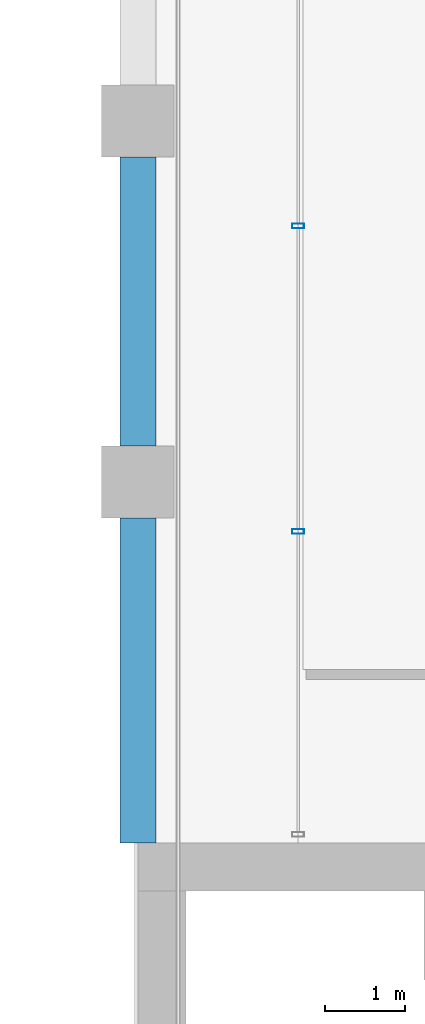
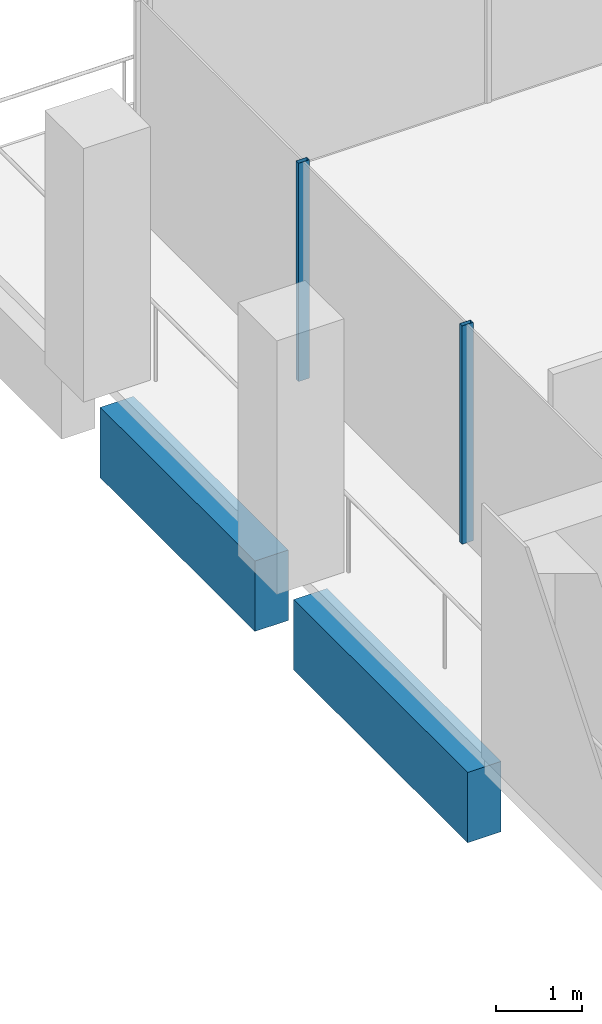
# One storey, part 20 of 40: 2 beams, 2 members, 1 element without a shape of its own.
"""IFC4 building model written with IfcOpenShell, lengths in metres."""

from ifc_helpers import new_model, si_unit, direction, frame, origin, origin_2d, place, context, subcontext, project, spatial, rectangle, hollow_rectangle, extrude, material, material_profile, profile_set, type_object, element, aggregate, save


model = new_model("IFC4")

# Units and contexts
model_context = context("Model", 3, precision=1e-05, world=origin(), true_north=direction((0.0, 1.0)))
body_context = subcontext(model_context, "Body", "Model", "MODEL_VIEW")
ifc_project = project(units=[si_unit("LENGTHUNIT", "METRE"), si_unit("AREAUNIT", "SQUARE_METRE"), si_unit("VOLUMEUNIT", "CUBIC_METRE"), si_unit("PLANEANGLEUNIT", "RADIAN"), si_unit("MASSUNIT", "GRAM", prefix="KILO")], contexts=[model_context])

# Site, building, storey
site_placement = place(None, origin())
site = spatial("IfcSite", under=ifc_project, at=site_placement, CompositionType="ELEMENT")
building_placement = place(site_placement, origin())
building = spatial("IfcBuilding", under=site, at=building_placement, Name="Altepetl Exchange Towers", CompositionType="ELEMENT")
storey_placement = place(building_placement, frame((0.0, 0.0, 169.0)))
storey = spatial("IfcBuildingStorey", under=building, at=storey_placement, Name="L42", CompositionType="ELEMENT", Elevation=169.0)

# Curtain wall, members
ifc_material_1 = material(Name="Aluminium 6063-T6 glazing", Category="aluminium")
curtain_wall_type = type_object("IfcCurtainWallType", Name="Loggia glazing system", PredefinedType="NOTDEFINED", material=ifc_material_1)
curtain_wall_placement = place(storey_placement, origin())
curtain_wall = element("IfcCurtainWall", 1, at=curtain_wall_placement, inside=storey, type_object=curtain_wall_type, Name="CW1 run", PredefinedType="NOTDEFINED")
ifc_material_2 = material(Name="Aluminium 6063-T6", Category="aluminium")
ifc_material_profile_1 = material_profile(ifc_material_2, hollow_rectangle(XDim=0.06005859375, YDim=0.14990234375, WallThickness=0.0029296875, at=origin_2d()), Name="Mullion 60x150 aluminium")
ifc_profile_set_1 = profile_set([ifc_material_profile_1], Name="Aluminium 6063-T6")
member_type = type_object("IfcMemberType", Name="Mullion 60x150 aluminium", PredefinedType="MULLION", material=ifc_profile_set_1)
member_1_placement = place(storey_placement, frame((42.5, 66.191650390625, 0.0), z_axis=(0.0, 0.0, 1.0), x_axis=(0.0, -1.0, 0.0)))
member_1 = element("IfcMember", 2, at=member_1_placement, type_object=member_type, Name="MU1 mullion", PredefinedType="MULLION", context=body_context, shape_type="SweptSolid", body=[
    extrude(hollow_rectangle(XDim=0.06005859375, YDim=0.14990234375, WallThickness=0.0029296875, at=origin_2d()), origin(), (0.0, 0.0, 1.0), 3.10009765625),
])
member_2_placement = place(storey_placement, frame((42.5, 62.38330078125, 0.0), z_axis=(0.0, 0.0, 1.0), x_axis=(0.0, -1.0, 0.0)))
member_2 = element("IfcMember", 3, at=member_2_placement, type_object=member_type, Name="MU1 mullion", PredefinedType="MULLION", context=body_context, shape_type="SweptSolid", body=[
    extrude(hollow_rectangle(XDim=0.06005859375, YDim=0.14990234375, WallThickness=0.0029296875, at=origin_2d()), origin(), (0.0, 0.0, 1.0), 3.10009765625),
])
aggregate(curtain_wall, [member_1, member_2])

# Beams
ifc_material_3 = material(Name="Concrete C50/60 precast with tezontle facing", Category="concrete")
ifc_material_profile_2 = material_profile(ifc_material_3, rectangle(XDim=0.449951171875, YDim=1.0, at=origin_2d()), Name="450 x 1000")
ifc_profile_set_2 = profile_set([ifc_material_profile_2], Name="Concrete C50/60 precast with tezontle facing")
beam_type = type_object("IfcBeamType", Name="Spandrel beam 450x1000 tezontle", PredefinedType="SPANDREL", material=ifc_profile_set_2)
beam_1_placement = place(storey_placement, frame((40.5, 67.050048828125, -0.64990234375), z_axis=(0.0, -1.0, 0.0), x_axis=(1.0, 0.0, 0.0)))
element("IfcBeam", 4, at=beam_1_placement, inside=storey, type_object=beam_type, Name="sp:A:L42:031", PredefinedType="SPANDREL", context=body_context, shape_type="SweptSolid", body=[
    extrude(rectangle(XDim=0.449951171875, YDim=1.0, at=origin_2d()), origin(), (0.0, 0.0, 1.0), 3.60009765625),
])
beam_2_placement = place(storey_placement, frame((40.5, 62.550048828125, -0.64990234375), z_axis=(0.0, -1.0, 0.0), x_axis=(1.0, 0.0, 0.0)))
element("IfcBeam", 5, at=beam_2_placement, inside=storey, type_object=beam_type, Name="sp:A:L42:032", PredefinedType="SPANDREL", context=body_context, shape_type="SweptSolid", body=[
    extrude(rectangle(XDim=0.449951171875, YDim=1.0, at=origin_2d()), origin(), (0.0, 0.0, 1.0), 4.050048828125),
])

save(model, "model.ifc")
